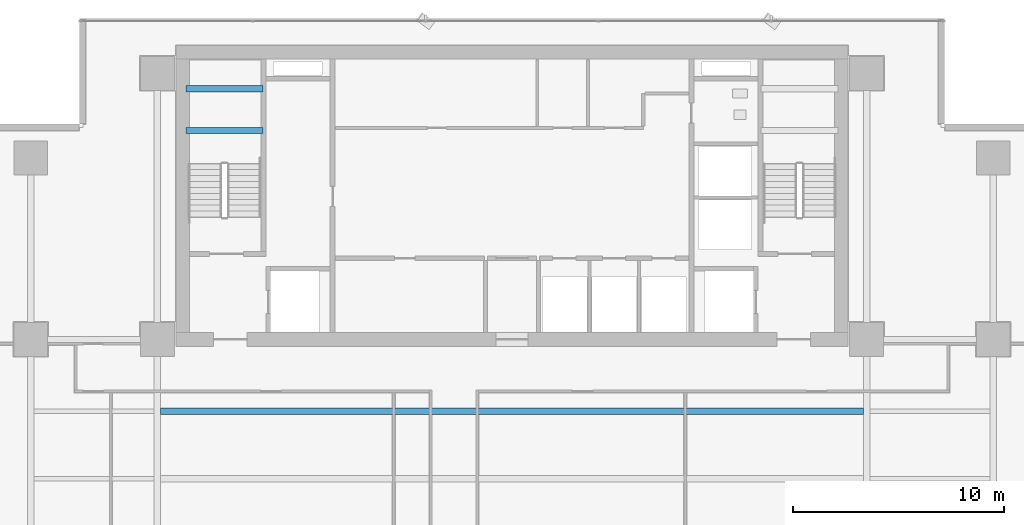
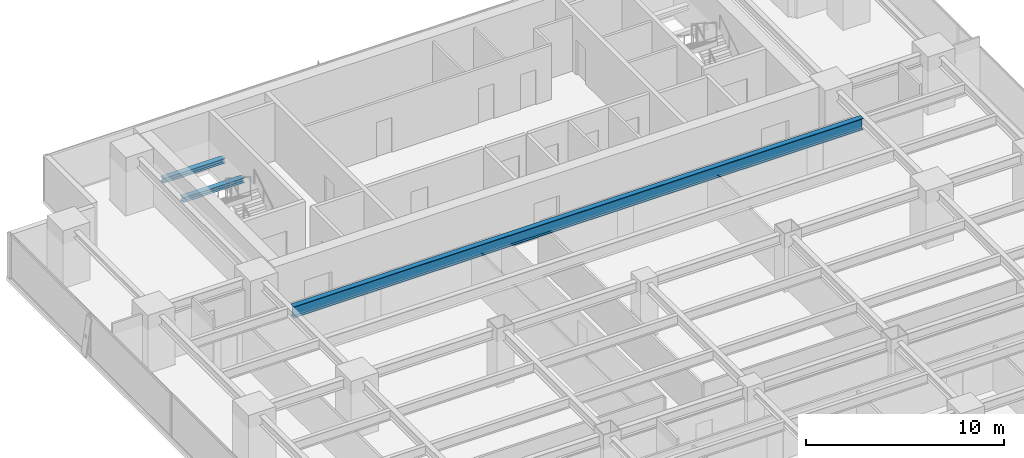
# One storey, part 19 of 36: 3 beams.
"""IFC4 building model written with IfcOpenShell, lengths in metres."""

from ifc_helpers import new_model, si_unit, direction, frame, origin, origin_2d, place, context, subcontext, project, spatial, i_section, extrude, source, transform, mapped, material, material_profile, profile_set, type_object, element, save


model = new_model("IFC4")

# Units and contexts
model_context = context("Model", 3, precision=1e-05, world=origin(), true_north=direction((0.0, 1.0)))
body_context = subcontext(model_context, "Body", "Model", "MODEL_VIEW")
ifc_project = project(units=[si_unit("LENGTHUNIT", "METRE"), si_unit("AREAUNIT", "SQUARE_METRE"), si_unit("VOLUMEUNIT", "CUBIC_METRE"), si_unit("PLANEANGLEUNIT", "RADIAN"), si_unit("MASSUNIT", "GRAM", prefix="KILO")], contexts=[model_context])

# Site, building, storey
site_placement = place(None, origin())
site = spatial("IfcSite", under=ifc_project, at=site_placement, CompositionType="ELEMENT")
building_placement = place(site_placement, origin())
building = spatial("IfcBuilding", under=site, at=building_placement, Name="Sumidabori Civic Tower", CompositionType="ELEMENT")
storey_placement = place(building_placement, frame((0.0, 0.0, 84.800048828125)))
storey = spatial("IfcBuildingStorey", under=building, at=storey_placement, Name="L21", CompositionType="ELEMENT", Elevation=84.800048828125)

# Beams
ifc_material = material(Name="Steel SN490", Category="steel")
ifc_material_profile_1 = material_profile(ifc_material, i_section(OverallWidth=0.300048828125, OverallDepth=0.300048828125, WebThickness=0.010986328125, FlangeThickness=0.01904296875, at=origin_2d()), Name="HE 300 B")
ifc_profile_set_1 = profile_set([ifc_material_profile_1], Name="Steel SN490")
beam_type_1 = type_object("IfcBeamType", Name="BM-LDG-300", PredefinedType="BEAM", material=ifc_profile_set_1)
shared_shape_1 = source(origin(), body_context, "Body", "SweptSolid", [
    extrude(i_section(OverallWidth=0.300048828125, OverallDepth=0.300048828125, WebThickness=0.010986328125, FlangeThickness=0.01904296875, at=origin_2d()), origin(), (0.0, 0.0, 1.0), 3.64990234375),
])
for number, where, z_axis, x_axis, name in (
    (1, (-15.449951171875, 20.09765625, 1.449951171875), (1.0, 0.0, 0.0), (0.0, 1.0, 0.0), "Stair ST-1 Landing Support Beam L21-1A"),
    (2, (-15.449951171875, 22.069580078125, 1.449951171875), (1.0, 0.0, 0.0), (0.0, 1.0, 0.0), "Stair ST-1 Landing Trimmer Beam L21-1B"),
):
    element("IfcBeam", number, at=place(storey_placement, frame(where, z_axis=z_axis, x_axis=x_axis)), inside=storey, type_object=beam_type_1, Name=name, PredefinedType="BEAM", context=body_context, shape_type="MappedRepresentation", body=[
        mapped(shared_shape_1, transform((0.0, 0.0, 0.0), x_axis=(1.0, 0.0, 0.0), y_axis=(0.0, 1.0, 0.0), z_axis=(0.0, 0.0, 1.0), scale=1.0)),
    ])
ifc_material_profile_2 = material_profile(ifc_material, i_section(OverallWidth=0.300048828125, OverallDepth=0.699951171875, WebThickness=0.01708984375, FlangeThickness=0.031982421875, at=origin_2d()), Name="HE 700 B")
ifc_profile_set_2 = profile_set([ifc_material_profile_2], Name="Steel SN490")
beam_type_2 = type_object("IfcBeamType", Name="BM-GIRD-700", PredefinedType="BEAM", material=ifc_profile_set_2)
shared_shape_2 = source(origin(), body_context, "Body", "SweptSolid", [
    extrude(i_section(OverallWidth=0.300048828125, OverallDepth=0.699951171875, WebThickness=0.01708984375, FlangeThickness=0.031982421875, at=origin_2d()), origin(), (0.0, 0.0, 1.0), 33.2998046875),
])
beam_placement = place(storey_placement, frame((-16.64990234375, 6.800048828125, 3.010009765625), z_axis=(1.0, 0.0, 0.0), x_axis=(0.0, 1.0, 0.0)))
element("IfcBeam", 3, at=beam_placement, inside=storey, type_object=beam_type_2, Name="North Bay Floor Beam L21 JSTN-54", PredefinedType="BEAM", context=body_context, shape_type="MappedRepresentation", body=[
    mapped(shared_shape_2, transform((0.0, 0.0, 0.0), x_axis=(1.0, 0.0, 0.0), y_axis=(0.0, 1.0, 0.0), z_axis=(0.0, 0.0, 1.0), scale=1.0)),
])

save(model, "model.ifc")
